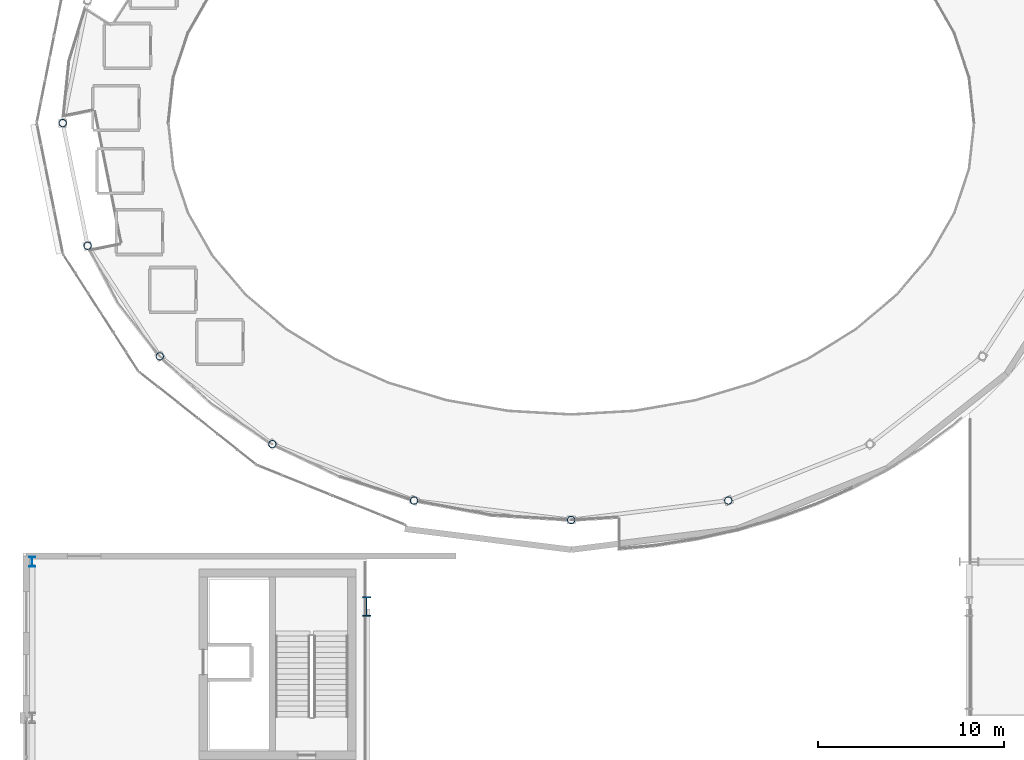
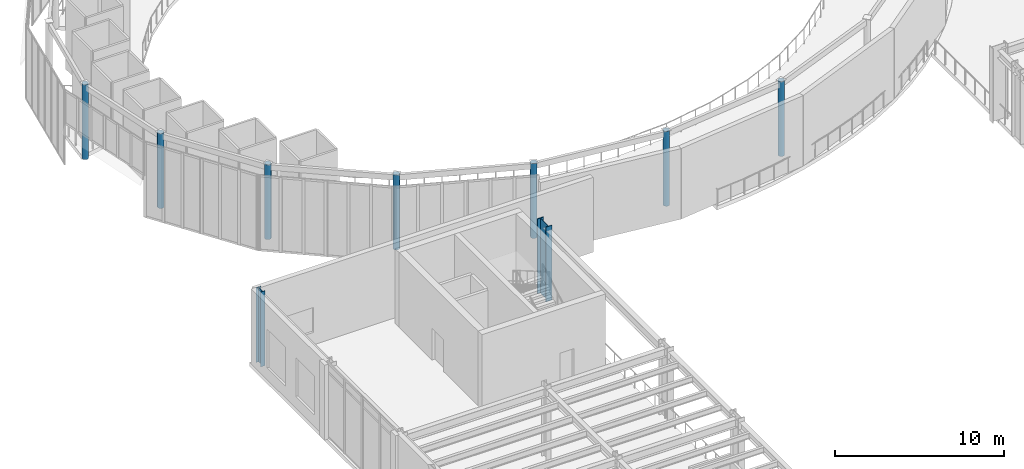
# One storey, part 7 of 98: 9 columns.
"""IFC4 building model written with IfcOpenShell, lengths in metres."""

from ifc_helpers import new_model, si_unit, direction, frame, origin, origin_2d, place, context, subcontext, project, spatial, hollow_circle, i_section, extrude, material, material_profile, profile_set, type_object, element, save


model = new_model("IFC4")

# Units and contexts
model_context = context("Model", 3, precision=1e-05, world=origin(), true_north=direction((0.0, 1.0)))
body_context = subcontext(model_context, "Body", "Model", "MODEL_VIEW")
ifc_project = project(units=[si_unit("LENGTHUNIT", "METRE"), si_unit("AREAUNIT", "SQUARE_METRE"), si_unit("VOLUMEUNIT", "CUBIC_METRE"), si_unit("PLANEANGLEUNIT", "RADIAN"), si_unit("MASSUNIT", "GRAM", prefix="KILO")], contexts=[model_context])

# Site, building, storey
site_placement = place(None, origin())
site = spatial("IfcSite", under=ifc_project, at=site_placement, CompositionType="ELEMENT")
building_placement = place(site_placement, origin())
building = spatial("IfcBuilding", under=site, at=building_placement, Name="Sollismere Congress Hotel", CompositionType="ELEMENT")
storey_placement = place(building_placement, frame((0.0, 0.0, 5.39990234375)))
storey = spatial("IfcBuildingStorey", under=building, at=storey_placement, Name="L01", CompositionType="ELEMENT", Elevation=5.39990234375)

# Columns
ifc_material_1 = material(Name="Steel ASTM A500 Grade C", Category="steel")
ifc_material_profile_1 = material_profile(ifc_material_1, hollow_circle(Radius=0.202880859375, WallThickness=0.01611328125, at=origin_2d()), Name="CHS406X16")
ifc_profile_set_1 = profile_set([ifc_material_profile_1], Name="Steel ASTM A500 Grade C")
column_type_1 = type_object("IfcColumnType", Name="COL-CHS406I", PredefinedType="COLUMN", material=ifc_profile_set_1)
for number, where, z_axis, x_axis, name in (
    (1, (1.64990234375, 90.39990234375, 0.0), (0.0, 0.0, 1.0), (-1.0, 0.0, 0.0), "Column CL-L01-1189"),
    (2, (2.988525390625, 83.802490234375, 0.0), (0.0, 0.0, 1.0), (-0.969316774365, -0.245814952628, 0.0), "Column CL-L01-1193"),
    (3, (6.873291015625, 77.850830078125, 0.0), (0.0, 0.0, 1.0), (-0.869839554062, -0.493334724289, 0.0), "Column CL-L01-1197"),
    (4, (12.924072265625, 73.12744140625, 0.0), (0.0, 0.0, 1.0), (-0.681359873953, -0.731948578909, 0.0), "Column CL-L01-1201"),
    (5, (20.54833984375, 70.094970703125, 0.0), (0.0, 0.0, 1.0), (-0.38429532266, -0.923210217113, 0.0), "Column CL-L01-1205"),
    (6, (29.0, 69.050048828125, 0.0), (0.0, 0.0, 1.0), (0.0, -1.0, 0.0), "Column CL-L01-1209"),
    (7, (37.45166015625, 70.094970703125, 0.0), (0.0, 0.0, 1.0), (0.38429532266, -0.923210217113, 0.0), "Column CL-L01-1213"),
):
    element("IfcColumn", number, at=place(storey_placement, frame(where, z_axis=z_axis, x_axis=x_axis)), inside=storey, type_object=column_type_1, Name=name, PredefinedType="COLUMN", context=body_context, shape_type="SweptSolid", body=[
        extrude(hollow_circle(Radius=0.202880859375, WallThickness=0.01611328125, at=origin_2d()), origin(), (0.0, 0.0, 1.0), 5.400146484375),
    ])
ifc_material_2 = material(Name="Steel ASTM A992 Grade 50", Category="steel")
ifc_material_profile_2 = material_profile(ifc_material_2, i_section(OverallWidth=0.31494140625, OverallDepth=0.551025390625, WebThickness=0.01513671875, FlangeThickness=0.0244140625, at=origin_2d()), Name="W21X122")
ifc_profile_set_2 = profile_set([ifc_material_profile_2], Name="Steel ASTM A992 Grade 50")
column_type_2 = type_object("IfcColumnType", Name="COL-W21", PredefinedType="COLUMN", material=ifc_profile_set_2)
column_1_placement = place(storey_placement, frame((0.0, 66.800048828125, 0.0), z_axis=(0.0, 0.0, 1.0), x_axis=(1.0, 0.0, 0.0)))
element("IfcColumn", 8, at=column_1_placement, inside=storey, type_object=column_type_2, Name="Column CL-L01-031", PredefinedType="COLUMN", context=body_context, shape_type="SweptSolid", body=[
    extrude(i_section(OverallWidth=0.31494140625, OverallDepth=0.551025390625, WebThickness=0.01513671875, FlangeThickness=0.0244140625, at=origin_2d()), origin(), (0.0, 0.0, 1.0), 5.400146484375),
])
ifc_material_profile_3 = material_profile(ifc_material_2, i_section(OverallWidth=0.427001953125, OverallDepth=1.041015625, WebThickness=0.031005859375, FlangeThickness=0.055908203125, at=origin_2d()), Name="W40X397")
ifc_profile_set_3 = profile_set([ifc_material_profile_3], Name="Steel ASTM A992 Grade 50")
column_type_3 = type_object("IfcColumnType", Name="COL-W40", PredefinedType="COLUMN", material=ifc_profile_set_3)
column_2_placement = place(storey_placement, frame((18.0, 64.39990234375, 0.0), z_axis=(0.0, 0.0, 1.0), x_axis=(1.0, 0.0, 0.0)))
element("IfcColumn", 9, at=column_2_placement, inside=storey, type_object=column_type_3, Name="Column CL-L01-1140", PredefinedType="COLUMN", context=body_context, shape_type="SweptSolid", body=[
    extrude(i_section(OverallWidth=0.427001953125, OverallDepth=1.041015625, WebThickness=0.031005859375, FlangeThickness=0.055908203125, at=origin_2d()), origin(), (0.0, 0.0, 1.0), 5.400146484375),
])

save(model, "model.ifc")
